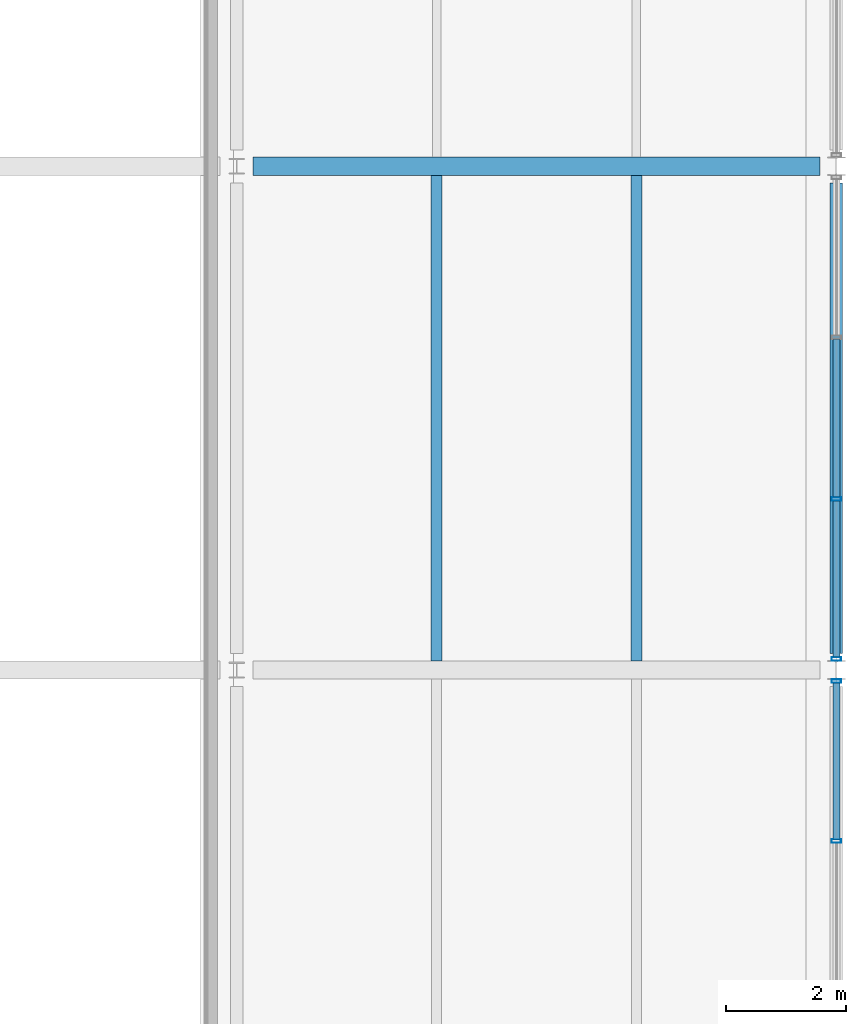
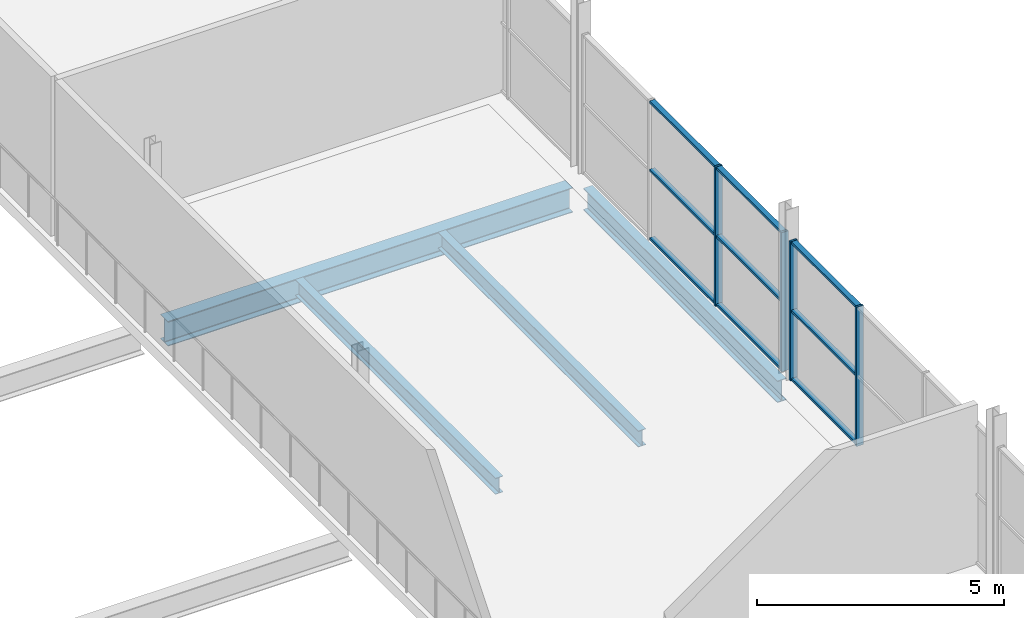
# One storey, part 106 of 161: 13 members, 4 beams, 2 elements without a shape of their own.
"""IFC4 building model written with IfcOpenShell, lengths in metres."""

from ifc_helpers import new_model, si_unit, direction, frame, origin, origin_2d, place, context, subcontext, project, spatial, hollow_rectangle, i_section, extrude, material, material_profile, profile_set, type_object, element, aggregate, save


model = new_model("IFC4")

# Units and contexts
model_context = context("Model", 3, precision=1e-05, world=origin(), true_north=direction((0.0, 1.0)))
body_context = subcontext(model_context, "Body", "Model", "MODEL_VIEW")
ifc_project = project(units=[si_unit("LENGTHUNIT", "METRE"), si_unit("AREAUNIT", "SQUARE_METRE"), si_unit("VOLUMEUNIT", "CUBIC_METRE"), si_unit("PLANEANGLEUNIT", "RADIAN"), si_unit("MASSUNIT", "GRAM", prefix="KILO"), si_unit("THERMODYNAMICTEMPERATUREUNIT", "KELVIN")], contexts=[model_context])

# Site, building, storey
site_placement = place(None, origin())
site = spatial("IfcSite", under=ifc_project, at=site_placement, CompositionType="ELEMENT")
building_placement = place(site_placement, origin())
building = spatial("IfcBuilding", under=site, at=building_placement, Name="Nduvali Passage Aquatics Centre", CompositionType="ELEMENT")
storey_placement = place(building_placement, frame((0.0, 0.0, 4.800048828125)))
storey = spatial("IfcBuildingStorey", under=building, at=storey_placement, Name="L01", CompositionType="ELEMENT", Elevation=4.800048828125)

# Curtain wall, members
ifc_material_1 = material(Name="Aluminium EN AW-6063 T6", Category="aluminium")
curtain_wall_type = type_object("IfcCurtainWallType", Name="ENV-CW-FOYR", PredefinedType="NOTDEFINED", material=ifc_material_1)
curtain_wall_1_placement = place(storey_placement, origin())
curtain_wall_1 = element("IfcCurtainWall", 1, at=curtain_wall_1_placement, inside=storey, type_object=curtain_wall_type, Name="L01 East Avenue Entrance Upper CW 084", PredefinedType="NOTDEFINED")
ifc_material_profile_1 = material_profile(ifc_material_1, hollow_rectangle(XDim=0.06005859375, YDim=0.159912109375, WallThickness=0.00390625, at=origin_2d()), Name="ALU MULLION 60x160x4")
ifc_profile_set_1 = profile_set([ifc_material_profile_1], Name="Aluminium EN AW-6063 T6")
member_type_1 = type_object("IfcMemberType", Name="ENV-MEM-MUL60", PredefinedType="MULLION", material=ifc_profile_set_1)
member_1_placement = place(storey_placement, frame((168.0, 47.54833984375, 0.0), z_axis=(0.0, 0.0, 1.0), x_axis=(0.0, 1.0, 0.0)))
member_1 = element("IfcMember", 2, at=member_1_placement, type_object=member_type_1, Name="East Avenue Entrance Upper CW Mullion 3", PredefinedType="MULLION", context=body_context, shape_type="SweptSolid", body=[
    extrude(hollow_rectangle(XDim=0.06005859375, YDim=0.159912109375, WallThickness=0.00390625, at=origin_2d()), origin(), (0.0, 0.0, 1.0), 3.436279296875),
])
member_2_placement = place(storey_placement, frame((168.0, 50.215087890625, 0.0), z_axis=(0.0, 0.0, 1.0), x_axis=(0.0, 1.0, 0.0)))
member_2 = element("IfcMember", 3, at=member_2_placement, type_object=member_type_1, Name="East Avenue Entrance Upper CW Mullion 4", PredefinedType="MULLION", context=body_context, shape_type="SweptSolid", body=[
    extrude(hollow_rectangle(XDim=0.06005859375, YDim=0.159912109375, WallThickness=0.00390625, at=origin_2d()), origin(), (0.0, 0.0, 1.0), 3.436279296875),
])

curtain_wall_2_placement = place(storey_placement, origin())
curtain_wall_2 = element("IfcCurtainWall", 4, at=curtain_wall_2_placement, inside=storey, type_object=curtain_wall_type, Name="L01 East Avenue Entrance Upper CW 085", PredefinedType="NOTDEFINED")
member_3_placement = place(storey_placement, frame((168.0, 50.5849609375, 0.0), z_axis=(0.0, 0.0, 1.0), x_axis=(0.0, 1.0, 0.0)))
member_3 = element("IfcMember", 5, at=member_3_placement, type_object=member_type_1, Name="East Avenue Entrance Upper CW Mullion 1", PredefinedType="MULLION", context=body_context, shape_type="SweptSolid", body=[
    extrude(hollow_rectangle(XDim=0.06005859375, YDim=0.159912109375, WallThickness=0.00390625, at=origin_2d()), origin(), (0.0, 0.0, 1.0), 3.436279296875),
])
member_4_placement = place(storey_placement, frame((168.0, 53.251708984375, 0.0), z_axis=(0.0, 0.0, 1.0), x_axis=(0.0, 1.0, 0.0)))
member_4 = element("IfcMember", 6, at=member_4_placement, type_object=member_type_1, Name="East Avenue Entrance Upper CW Mullion 2", PredefinedType="MULLION", context=body_context, shape_type="SweptSolid", body=[
    extrude(hollow_rectangle(XDim=0.06005859375, YDim=0.159912109375, WallThickness=0.00390625, at=origin_2d()), origin(), (0.0, 0.0, 1.0), 3.436279296875),
])

# Member
ifc_material_profile_2 = material_profile(ifc_material_1, hollow_rectangle(XDim=0.1201171875, YDim=0.06005859375, WallThickness=0.00390625, at=origin_2d()), Name="ALU TRANSOM 120x60x4")
ifc_profile_set_2 = profile_set([ifc_material_profile_2], Name="Aluminium EN AW-6063 T6")
member_type_2 = type_object("IfcMemberType", Name="ENV-MEM-TRN60", PredefinedType="USERDEFINED", material=ifc_profile_set_2)
member_5_placement = place(storey_placement, frame((168.0, 47.578369140625, 0.030029296875), z_axis=(0.0, 1.0, 0.0), x_axis=(-1.0, 0.0, 0.0)))
member_5 = element("IfcMember", 7, at=member_5_placement, type_object=member_type_2, Name="East Avenue Entrance Upper CW Transom B3-R0", ObjectType="TRANSOM", PredefinedType="USERDEFINED", context=body_context, shape_type="SweptSolid", body=[
    extrude(hollow_rectangle(XDim=0.1201171875, YDim=0.06005859375, WallThickness=0.00390625, at=origin_2d()), origin(), (0.0, 0.0, 1.0), 2.606689453125),
])

member_6_placement = place(storey_placement, frame((168.0, 47.578369140625, 1.71826171875), z_axis=(0.0, 1.0, 0.0), x_axis=(-1.0, 0.0, 0.0)))
member_6 = element("IfcMember", 8, at=member_6_placement, type_object=member_type_2, Name="East Avenue Entrance Upper CW Transom B3-R1", ObjectType="TRANSOM", PredefinedType="USERDEFINED", context=body_context, shape_type="SweptSolid", body=[
    extrude(hollow_rectangle(XDim=0.1201171875, YDim=0.06005859375, WallThickness=0.00390625, at=origin_2d()), origin(), (0.0, 0.0, 1.0), 2.606689453125),
])

member_7_placement = place(storey_placement, frame((168.0, 47.578369140625, 3.40625), z_axis=(0.0, 1.0, 0.0), x_axis=(-1.0, 0.0, 0.0)))
member_7 = element("IfcMember", 9, at=member_7_placement, type_object=member_type_2, Name="East Avenue Entrance Upper CW Transom B3-R2", ObjectType="TRANSOM", PredefinedType="USERDEFINED", context=body_context, shape_type="SweptSolid", body=[
    extrude(hollow_rectangle(XDim=0.1201171875, YDim=0.06005859375, WallThickness=0.00390625, at=origin_2d()), origin(), (0.0, 0.0, 1.0), 2.606689453125),
])

aggregate(curtain_wall_1, [member_1, member_2, member_5, member_6, member_7])

member_8_placement = place(storey_placement, frame((168.0, 50.614990234375, 0.030029296875), z_axis=(0.0, 1.0, 0.0), x_axis=(-1.0, 0.0, 0.0)))
member_8 = element("IfcMember", 10, at=member_8_placement, type_object=member_type_2, Name="East Avenue Entrance Upper CW Transom B1-R0", ObjectType="TRANSOM", PredefinedType="USERDEFINED", context=body_context, shape_type="SweptSolid", body=[
    extrude(hollow_rectangle(XDim=0.1201171875, YDim=0.06005859375, WallThickness=0.00390625, at=origin_2d()), origin(), (0.0, 0.0, 1.0), 2.606689453125),
])

member_9_placement = place(storey_placement, frame((168.0, 50.614990234375, 1.71826171875), z_axis=(0.0, 1.0, 0.0), x_axis=(-1.0, 0.0, 0.0)))
member_9 = element("IfcMember", 11, at=member_9_placement, type_object=member_type_2, Name="East Avenue Entrance Upper CW Transom B1-R1", ObjectType="TRANSOM", PredefinedType="USERDEFINED", context=body_context, shape_type="SweptSolid", body=[
    extrude(hollow_rectangle(XDim=0.1201171875, YDim=0.06005859375, WallThickness=0.00390625, at=origin_2d()), origin(), (0.0, 0.0, 1.0), 2.606689453125),
])

member_10_placement = place(storey_placement, frame((168.0, 50.614990234375, 3.40625), z_axis=(0.0, 1.0, 0.0), x_axis=(-1.0, 0.0, 0.0)))
member_10 = element("IfcMember", 12, at=member_10_placement, type_object=member_type_2, Name="East Avenue Entrance Upper CW Transom B1-R2", ObjectType="TRANSOM", PredefinedType="USERDEFINED", context=body_context, shape_type="SweptSolid", body=[
    extrude(hollow_rectangle(XDim=0.1201171875, YDim=0.06005859375, WallThickness=0.00390625, at=origin_2d()), origin(), (0.0, 0.0, 1.0), 2.606689453125),
])

member_11_placement = place(storey_placement, frame((168.0, 53.28173828125, 0.030029296875), z_axis=(0.0, 1.0, 0.0), x_axis=(-1.0, 0.0, 0.0)))
member_11 = element("IfcMember", 13, at=member_11_placement, type_object=member_type_2, Name="East Avenue Entrance Upper CW Transom B2-R0", ObjectType="TRANSOM", PredefinedType="USERDEFINED", context=body_context, shape_type="SweptSolid", body=[
    extrude(hollow_rectangle(XDim=0.1201171875, YDim=0.06005859375, WallThickness=0.00390625, at=origin_2d()), origin(), (0.0, 0.0, 1.0), 2.636474609375),
])

member_12_placement = place(storey_placement, frame((168.0, 53.28173828125, 1.71826171875), z_axis=(0.0, 1.0, 0.0), x_axis=(-1.0, 0.0, 0.0)))
member_12 = element("IfcMember", 14, at=member_12_placement, type_object=member_type_2, Name="East Avenue Entrance Upper CW Transom B2-R1", ObjectType="TRANSOM", PredefinedType="USERDEFINED", context=body_context, shape_type="SweptSolid", body=[
    extrude(hollow_rectangle(XDim=0.1201171875, YDim=0.06005859375, WallThickness=0.00390625, at=origin_2d()), origin(), (0.0, 0.0, 1.0), 2.636474609375),
])

member_13_placement = place(storey_placement, frame((168.0, 53.28173828125, 3.40625), z_axis=(0.0, 1.0, 0.0), x_axis=(-1.0, 0.0, 0.0)))
member_13 = element("IfcMember", 15, at=member_13_placement, type_object=member_type_2, Name="East Avenue Entrance Upper CW Transom B2-R2", ObjectType="TRANSOM", PredefinedType="USERDEFINED", context=body_context, shape_type="SweptSolid", body=[
    extrude(hollow_rectangle(XDim=0.1201171875, YDim=0.06005859375, WallThickness=0.00390625, at=origin_2d()), origin(), (0.0, 0.0, 1.0), 2.636474609375),
])

aggregate(curtain_wall_2, [member_3, member_4, member_8, member_9, member_10, member_11, member_12, member_13])

# Beams
ifc_material_2 = material(Name="Steel S355", Category="steel")
ifc_material_profile_3 = material_profile(ifc_material_2, i_section(OverallWidth=0.210693359375, OverallDepth=0.53955078125, WebThickness=0.01171875, FlangeThickness=0.018798828125, FilletRadius=0.0126953125, at=origin_2d()), Name="UKB 533x210x109")
ifc_profile_set_3 = profile_set([ifc_material_profile_3], Name="Steel S355")
beam_type_1 = type_object("IfcBeamType", Name="STR-BM-UKB533-EXT", PredefinedType="BEAM", material=ifc_profile_set_3)
beam_1_placement = place(storey_placement, frame((168.0, 50.675048828125, -0.553955078125), z_axis=(0.0, 1.0, 0.0), x_axis=(-1.0, 0.0, 0.0)))
element("IfcBeam", 16, at=beam_1_placement, inside=storey, type_object=beam_type_1, Name="L01 Primary Y-Girder B6E-0685", PredefinedType="BEAM", context=body_context, shape_type="SweptSolid", body=[
    extrude(i_section(OverallWidth=0.210693359375, OverallDepth=0.53955078125, WebThickness=0.01171875, FlangeThickness=0.018798828125, FilletRadius=0.0126953125, at=origin_2d()), origin(), (0.0, 0.0, 1.0), 7.849853515625),
])
ifc_material_profile_4 = material_profile(ifc_material_2, i_section(OverallWidth=0.3046875, OverallDepth=0.6123046875, WebThickness=0.01171875, FlangeThickness=0.019775390625, FilletRadius=0.0166015625, at=origin_2d()), Name="UKB 610x305x149")
ifc_profile_set_4 = profile_set([ifc_material_profile_4], Name="Steel S355")
beam_type_2 = type_object("IfcBeamType", Name="STR-BM-UKB610W", PredefinedType="BEAM", material=ifc_profile_set_4)
beam_2_placement = place(storey_placement, frame((158.27490234375, 58.800048828125, -0.59033203125), z_axis=(1.0, 0.0, 0.0), x_axis=(0.0, 1.0, 0.0)))
element("IfcBeam", 17, at=beam_2_placement, inside=storey, type_object=beam_type_2, Name="L01 Primary X-Girder B5A-0492", PredefinedType="BEAM", context=body_context, shape_type="SweptSolid", body=[
    extrude(i_section(OverallWidth=0.3046875, OverallDepth=0.6123046875, WebThickness=0.01171875, FlangeThickness=0.019775390625, FilletRadius=0.0166015625, at=origin_2d()), origin(), (0.0, 0.0, 1.0), 9.4501953125),
])
ifc_material_profile_5 = material_profile(ifc_material_2, i_section(OverallWidth=0.179931640625, OverallDepth=0.39990234375, WebThickness=0.008544921875, FlangeThickness=0.013427734375, FilletRadius=0.02099609375, at=origin_2d()), Name="IPE 400")
ifc_profile_set_5 = profile_set([ifc_material_profile_5], Name="Steel S355")
beam_type_3 = type_object("IfcBeamType", Name="STR-JST-IPE400", PredefinedType="JOIST", material=ifc_profile_set_5)
for number, where, z_axis, x_axis, name in (
    (18, (161.333251953125, 50.552490234375, -0.484130859375), (0.0, 1.0, 0.0), (-1.0, 0.0, 0.0), "L01 Secondary Joist J5-0770"),
    (19, (164.666748046875, 50.552490234375, -0.484130859375), (0.0, 1.0, 0.0), (-1.0, 0.0, 0.0), "L01 Secondary Joist J5-0771"),
):
    element("IfcBeam", number, at=place(storey_placement, frame(where, z_axis=z_axis, x_axis=x_axis)), inside=storey, type_object=beam_type_3, Name=name, PredefinedType="JOIST", context=body_context, shape_type="SweptSolid", body=[
        extrude(i_section(OverallWidth=0.179931640625, OverallDepth=0.39990234375, WebThickness=0.008544921875, FlangeThickness=0.013427734375, FilletRadius=0.02099609375, at=origin_2d()), origin(), (0.0, 0.0, 1.0), 8.09521484375),
    ])

save(model, "model.ifc")
